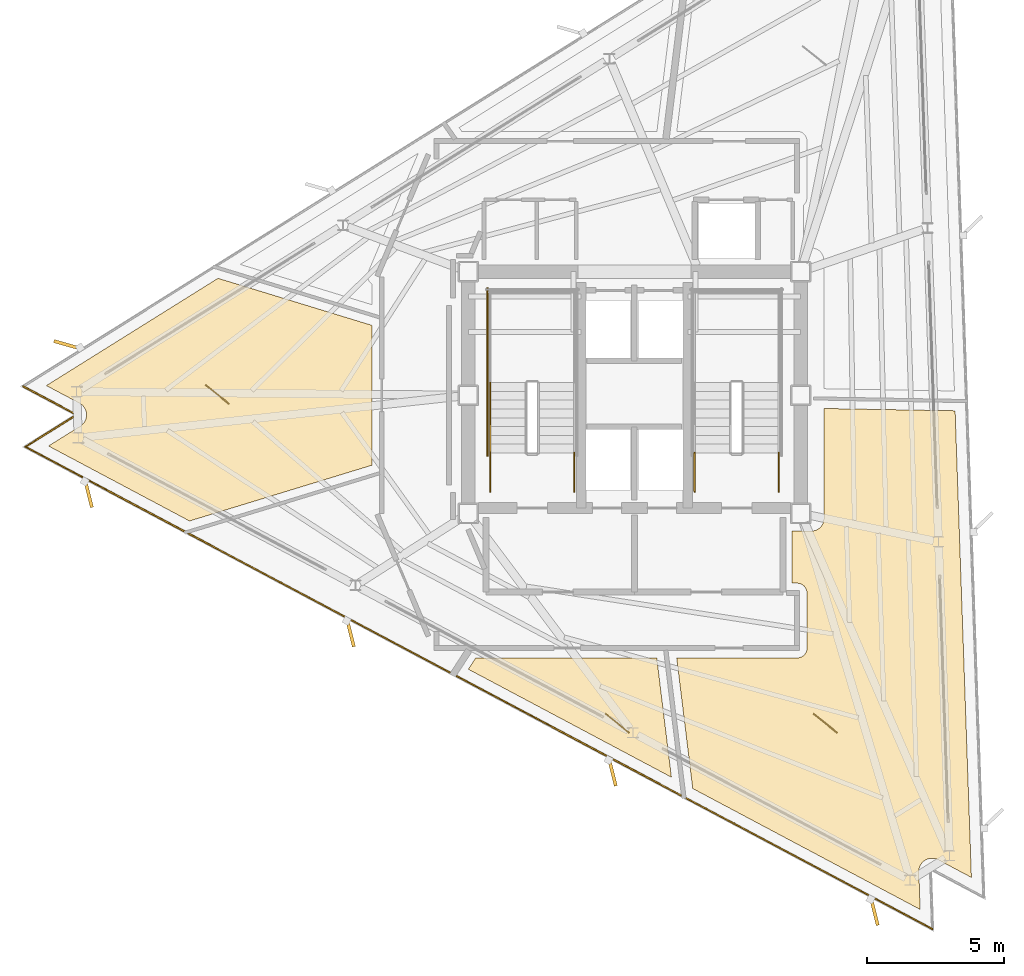
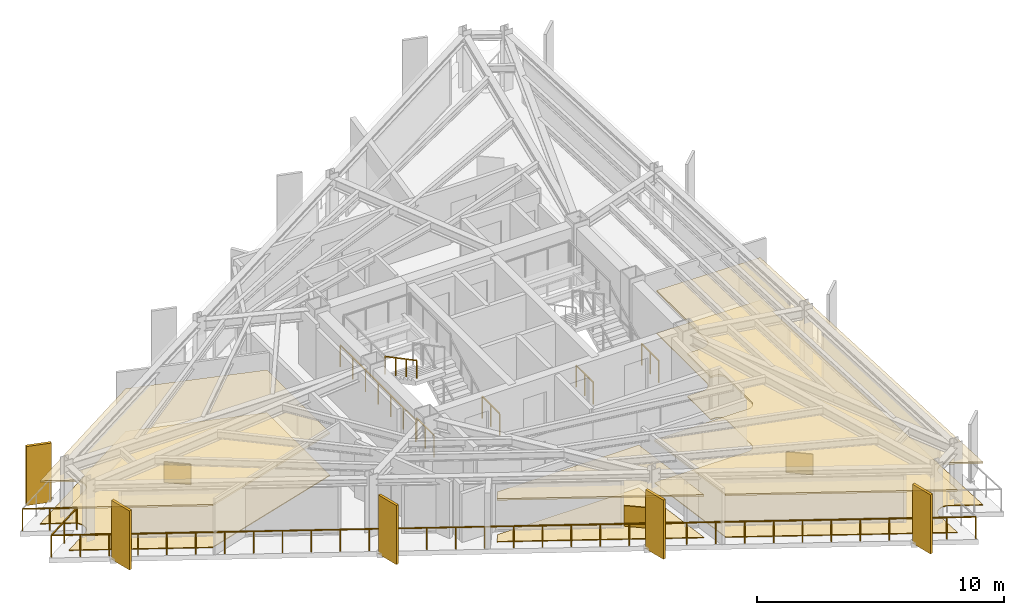
# One storey, part 11 of 13: 9 coverings, 7 railings, 5 shading devices.
"""IFC4 building model written with IfcOpenShell, lengths in metres."""

from ifc_helpers import new_model, si_unit, direction, frame, origin, origin_2d, place, context, subcontext, project, spatial, polyline, rectangle, outline, extrude, material, layer, layer_set, type_object, element, save


model = new_model("IFC4")

# Units and contexts
model_context = context("Model", 3, precision=1e-05, world=origin(), true_north=direction((0.0, 1.0)))
body_context = subcontext(model_context, "Body", "Model", "MODEL_VIEW")
ifc_project = project(units=[si_unit("LENGTHUNIT", "METRE"), si_unit("AREAUNIT", "SQUARE_METRE"), si_unit("VOLUMEUNIT", "CUBIC_METRE"), si_unit("PLANEANGLEUNIT", "RADIAN"), si_unit("MASSUNIT", "GRAM", prefix="KILO")], contexts=[model_context])

# Site, building, storey
site_placement = place(None, origin())
site = spatial("IfcSite", under=ifc_project, at=site_placement, CompositionType="ELEMENT")
building_placement = place(site_placement, origin())
building = spatial("IfcBuilding", under=site, at=building_placement, Name="Rocaltana Carrier Exchange", CompositionType="ELEMENT")
storey_placement = place(building_placement, frame((0.0, 0.0, 208.800048828125)))
storey = spatial("IfcBuildingStorey", under=building, at=storey_placement, Name="L66", CompositionType="ELEMENT", Elevation=208.800048828125)

# Coverings
ifc_material_1 = material(Name="Honed Bogota Sandstone Tile", Category="masonry")
ifc_layer_1 = layer(ifc_material_1, 0.0400390625)
ifc_layer_set_1 = layer_set([ifc_layer_1], Name="Honed Bogota Sandstone Tile")
covering_type_1 = type_object("IfcCoveringType", Name="Honed Stone Lobby Flooring 40", PredefinedType="FLOORING", material=ifc_layer_set_1)
covering_1_placement = place(storey_placement, origin())
element("IfcCovering", 1, at=covering_1_placement, inside=storey, type_object=covering_type_1, Name="L66 Carrier Peering Suite Finish Floor", PredefinedType="FLOORING", context=body_context, shape_type="SweptSolid", body=[
    extrude(outline(polyline([(-20.17138671875, -1.120361328125), (-20.15966796875, -1.11279296875), (-20.143310546875, -1.101318359375), (-20.121337890625, -1.084228515625), (-20.106201171875, -1.0712890625), (-20.085693359375, -1.052001953125), (-20.072021484375, -1.03759765625), (-20.0537109375, -1.0166015625), (-20.04150390625, -1.000732421875), (-20.025390625, -0.97802734375), (-20.014892578125, -0.961181640625), (-20.001220703125, -0.936767578125), (-19.9921875, -0.9189453125), (-19.98095703125, -0.893310546875), (-19.973876953125, -0.874755859375), (-19.965087890625, -0.848388671875), (-19.9599609375, -0.8291015625), (-19.9541015625, -0.8017578125), (-19.95068359375, -0.781982421875), (-19.947509765625, -0.75439453125), (-19.9462890625, -0.734375), (-19.94580078125, -0.70654296875), (-19.946533203125, -0.6865234375), (-19.948974609375, -0.65869140625), (-19.95166015625, -0.638916015625), (-19.956787109375, -0.611572265625), (-19.96142578125, -0.59228515625), (-19.96923828125, -0.5654296875), (-19.9755859375, -0.546630859375), (-19.986083984375, -0.520751953125), (-19.99462890625, -0.502685546875), (-20.007568359375, -0.477783203125), (-20.017578125, -0.460693359375), (-20.033203125, -0.4375), (-20.044921875, -0.42138671875), (-20.0625, -0.399658203125), (-20.07568359375, -0.385009765625), (-20.095458984375, -0.364990234375), (-20.1103515625, -0.351806640625), (-20.1318359375, -0.333984375), (-20.14794921875, -0.322021484375), (-20.171142578125, -0.306640625), (-20.188232421875, -0.29638671875), (-20.2001953125, -0.28955078125), (-21.40869140625, 0.35302734375), (-15.1591796875, 4.25830078125), (-9.56005859375, 2.54638671875), (-9.56005859375, -2.54638671875), (-16.197509765625, -4.57568359375), (-21.33203125, -1.845703125), (-20.17138671875, -1.120361328125)])), origin(), (0.0, 0.0, 1.0), 0.0400390625),
])
covering_2_placement = place(storey_placement, origin())
element("IfcCovering", 2, at=covering_2_placement, inside=storey, type_object=covering_type_1, Name="L66 Cloud Architecture Office Finish Floor", PredefinedType="FLOORING", context=body_context, shape_type="SweptSolid", body=[
    extrude(outline(polyline([(-6.047119140625, -9.97265625), (-5.779052734375, -9.56005859375), (0.81103515625, -9.56005859375), (1.34423828125, -13.90283203125), (-6.047119140625, -9.97265625)])), origin(), (0.0, 0.0, 1.0), 0.0400390625),
])
covering_3_placement = place(storey_placement, origin())
element("IfcCovering", 3, at=covering_3_placement, inside=storey, type_object=covering_type_1, Name="L66 Optical Switching Laboratory Finish Floor", PredefinedType="FLOORING", context=body_context, shape_type="SweptSolid", body=[
    extrude(outline(polyline([(5.739990234375, -6.840087890625), (5.739990234375, -4.93994140625), (6.449951171875, -4.93994140625), (6.463623046875, -4.939697265625), (6.4794921875, -4.93896484375), (6.5068359375, -4.936279296875), (6.522216796875, -4.933837890625), (6.54931640625, -4.928466796875), (6.564453125, -4.9248046875), (6.5908203125, -4.916748046875), (6.605712890625, -4.91162109375), (6.630859375, -4.90087890625), (6.64501953125, -4.894287109375), (6.66943359375, -4.88134765625), (6.682861328125, -4.873291015625), (6.705810546875, -4.85791015625), (6.71826171875, -4.8486328125), (6.739501953125, -4.8310546875), (6.751220703125, -4.820556640625), (6.7705078125, -4.80126953125), (6.781005859375, -4.78955078125), (6.798583984375, -4.768310546875), (6.807861328125, -4.755615234375), (6.8232421875, -4.73291015625), (6.831298828125, -4.719482421875), (6.84423828125, -4.695068359375), (6.850830078125, -4.680908203125), (6.861572265625, -4.655517578125), (6.86669921875, -4.640869140625), (6.874755859375, -4.614501953125), (6.87841796875, -4.59912109375), (6.8837890625, -4.572265625), (6.88623046875, -4.556884765625), (6.888916015625, -4.529296875), (6.8896484375, -4.513671875), (6.889892578125, -4.5), (6.889892578125, -0.480224609375), (11.671142578125, -0.563720703125), (12.264404296875, -17.55126953125), (11.055908203125, -16.90869140625), (11.04345703125, -16.902587890625), (11.025390625, -16.89404296875), (10.99951171875, -16.883544921875), (10.980712890625, -16.876708984375), (10.9541015625, -16.868896484375), (10.9345703125, -16.8642578125), (10.9072265625, -16.85888671875), (10.887451171875, -16.856201171875), (10.859619140625, -16.853515625), (10.83984375, -16.852783203125), (10.81201171875, -16.85302734375), (10.7919921875, -16.854248046875), (10.76416015625, -16.857421875), (10.744384765625, -16.860595703125), (10.71728515625, -16.8662109375), (10.697998046875, -16.871337890625), (10.67138671875, -16.8798828125), (10.652587890625, -16.886962890625), (10.627197265625, -16.89794921875), (10.609130859375, -16.906982421875), (10.584716796875, -16.92041015625), (10.56787109375, -16.930908203125), (10.544921875, -16.947021484375), (10.529296875, -16.959228515625), (10.508056640625, -16.977294921875), (10.49365234375, -16.990966796875), (10.474365234375, -17.01123046875), (10.461181640625, -17.0263671875), (10.444091796875, -17.04833984375), (10.4326171875, -17.064697265625), (10.41748046875, -17.088134765625), (10.407958984375, -17.105712890625), (10.3955078125, -17.130615234375), (10.38720703125, -17.148681640625), (10.37744140625, -17.1748046875), (10.37109375, -17.19384765625), (10.364013671875, -17.220703125), (10.359619140625, -17.240234375), (10.35498046875, -17.267822265625), (10.352783203125, -17.28759765625), (10.35107421875, -17.3154296875), (10.350830078125, -17.33544921875), (10.350830078125, -17.349365234375), (10.398681640625, -18.717041015625), (2.120361328125, -14.3154296875), (1.53662109375, -9.56005859375), (5.919921875, -9.56005859375), (5.93359375, -9.559814453125), (5.941650390625, -9.559326171875), (5.968994140625, -9.556640625), (5.976806640625, -9.555419921875), (6.003662109375, -9.550048828125), (6.01123046875, -9.548095703125), (6.03759765625, -9.540283203125), (6.044921875, -9.53759765625), (6.0703125, -9.527099609375), (6.077392578125, -9.523681640625), (6.101806640625, -9.5107421875), (6.1083984375, -9.506591796875), (6.131103515625, -9.491455078125), (6.137451171875, -9.48681640625), (6.15869140625, -9.46923828125), (6.16455078125, -9.464111328125), (6.18408203125, -9.444580078125), (6.189208984375, -9.438720703125), (6.206787109375, -9.41748046875), (6.21142578125, -9.4111328125), (6.226806640625, -9.388427734375), (6.230712890625, -9.381591796875), (6.24365234375, -9.357421875), (6.2470703125, -9.350341796875), (6.257568359375, -9.324951171875), (6.26025390625, -9.317626953125), (6.268310546875, -9.291259765625), (6.27001953125, -9.28369140625), (6.275390625, -9.256591796875), (6.276611328125, -9.248779296875), (6.279296875, -9.2216796875), (6.27978515625, -9.213623046875), (6.280029296875, -9.199951171875), (6.280029296875, -7.199951171875), (6.27978515625, -7.186279296875), (6.279296875, -7.178466796875), (6.276611328125, -7.151123046875), (6.275390625, -7.143310546875), (6.27001953125, -7.116455078125), (6.268310546875, -7.108642578125), (6.26025390625, -7.08251953125), (6.257568359375, -7.0751953125), (6.2470703125, -7.0498046875), (6.24365234375, -7.04248046875), (6.230712890625, -7.018310546875), (6.226806640625, -7.01171875), (6.21142578125, -6.98876953125), (6.206787109375, -6.982421875), (6.189208984375, -6.961181640625), (6.18408203125, -6.955322265625), (6.16455078125, -6.93603515625), (6.15869140625, -6.9306640625), (6.137451171875, -6.913330078125), (6.131103515625, -6.90869140625), (6.1083984375, -6.893310546875), (6.101806640625, -6.889404296875), (6.077392578125, -6.876220703125), (6.0703125, -6.873046875), (6.044921875, -6.862548828125), (6.03759765625, -6.85986328125), (6.01123046875, -6.851806640625), (6.003662109375, -6.849853515625), (5.976806640625, -6.844482421875), (5.968994140625, -6.843505859375), (5.941650390625, -6.8408203125), (5.93359375, -6.84033203125), (5.919921875, -6.840087890625), (5.739990234375, -6.840087890625)])), origin(), (0.0, 0.0, 1.0), 0.0400390625),
])
ifc_material_2 = material(Name="Anodised Aluminium 6063-T6", Category="aluminium")
ifc_layer_2 = layer(ifc_material_2, 0.0849609375)
ifc_layer_set_2 = layer_set([ifc_layer_2], Name="Anodised Aluminium 6063-T6")
covering_type_2 = type_object("IfcCoveringType", Name="Linear Baffle Acoustic Ceiling 85", PredefinedType="CEILING", material=ifc_layer_set_2)
covering_4_placement = place(storey_placement, frame((0.0, 0.0, 2.06298828125)))
element("IfcCovering", 4, at=covering_4_placement, inside=storey, type_object=covering_type_2, Name="L66 Carrier Peering Suite Acoustic Ceiling", PredefinedType="CEILING", context=body_context, shape_type="SweptSolid", body=[
    extrude(outline(polyline([(-20.17138671875, -1.120361328125), (-20.15966796875, -1.11279296875), (-20.143310546875, -1.101318359375), (-20.121337890625, -1.084228515625), (-20.106201171875, -1.0712890625), (-20.085693359375, -1.052001953125), (-20.072021484375, -1.03759765625), (-20.0537109375, -1.0166015625), (-20.04150390625, -1.000732421875), (-20.025390625, -0.97802734375), (-20.014892578125, -0.961181640625), (-20.001220703125, -0.936767578125), (-19.9921875, -0.9189453125), (-19.98095703125, -0.893310546875), (-19.973876953125, -0.874755859375), (-19.965087890625, -0.848388671875), (-19.9599609375, -0.8291015625), (-19.9541015625, -0.8017578125), (-19.95068359375, -0.781982421875), (-19.947509765625, -0.75439453125), (-19.9462890625, -0.734375), (-19.94580078125, -0.70654296875), (-19.946533203125, -0.6865234375), (-19.948974609375, -0.65869140625), (-19.95166015625, -0.638916015625), (-19.956787109375, -0.611572265625), (-19.96142578125, -0.59228515625), (-19.96923828125, -0.5654296875), (-19.9755859375, -0.546630859375), (-19.986083984375, -0.520751953125), (-19.99462890625, -0.502685546875), (-20.007568359375, -0.477783203125), (-20.017578125, -0.460693359375), (-20.033203125, -0.4375), (-20.044921875, -0.42138671875), (-20.0625, -0.399658203125), (-20.07568359375, -0.385009765625), (-20.095458984375, -0.364990234375), (-20.1103515625, -0.351806640625), (-20.1318359375, -0.333984375), (-20.14794921875, -0.322021484375), (-20.171142578125, -0.306640625), (-20.188232421875, -0.29638671875), (-20.2001953125, -0.28955078125), (-21.40869140625, 0.35302734375), (-15.1591796875, 4.25830078125), (-9.56005859375, 2.54638671875), (-9.56005859375, -2.54638671875), (-16.197509765625, -4.57568359375), (-21.33203125, -1.845703125), (-20.17138671875, -1.120361328125)])), origin(), (0.0, 0.0, 1.0), 0.0849609375),
])
covering_5_placement = place(storey_placement, frame((0.0, 0.0, 2.06298828125)))
element("IfcCovering", 5, at=covering_5_placement, inside=storey, type_object=covering_type_2, Name="L66 Cloud Architecture Office Acoustic Ceiling", PredefinedType="CEILING", context=body_context, shape_type="SweptSolid", body=[
    extrude(outline(polyline([(-6.047119140625, -9.97265625), (-5.779052734375, -9.56005859375), (0.81103515625, -9.56005859375), (1.34423828125, -13.90283203125), (-6.047119140625, -9.97265625)])), origin(), (0.0, 0.0, 1.0), 0.0849609375),
])
covering_6_placement = place(storey_placement, frame((0.0, 0.0, 2.06298828125)))
element("IfcCovering", 6, at=covering_6_placement, inside=storey, type_object=covering_type_2, Name="L66 Optical Switching Laboratory Acoustic Ceiling", PredefinedType="CEILING", context=body_context, shape_type="SweptSolid", body=[
    extrude(outline(polyline([(5.739990234375, -6.840087890625), (5.739990234375, -4.93994140625), (6.449951171875, -4.93994140625), (6.463623046875, -4.939697265625), (6.4794921875, -4.93896484375), (6.5068359375, -4.936279296875), (6.522216796875, -4.933837890625), (6.54931640625, -4.928466796875), (6.564453125, -4.9248046875), (6.5908203125, -4.916748046875), (6.605712890625, -4.91162109375), (6.630859375, -4.90087890625), (6.64501953125, -4.894287109375), (6.66943359375, -4.88134765625), (6.682861328125, -4.873291015625), (6.705810546875, -4.85791015625), (6.71826171875, -4.8486328125), (6.739501953125, -4.8310546875), (6.751220703125, -4.820556640625), (6.7705078125, -4.80126953125), (6.781005859375, -4.78955078125), (6.798583984375, -4.768310546875), (6.807861328125, -4.755615234375), (6.8232421875, -4.73291015625), (6.831298828125, -4.719482421875), (6.84423828125, -4.695068359375), (6.850830078125, -4.680908203125), (6.861572265625, -4.655517578125), (6.86669921875, -4.640869140625), (6.874755859375, -4.614501953125), (6.87841796875, -4.59912109375), (6.8837890625, -4.572265625), (6.88623046875, -4.556884765625), (6.888916015625, -4.529296875), (6.8896484375, -4.513671875), (6.889892578125, -4.5), (6.889892578125, -0.480224609375), (11.671142578125, -0.563720703125), (12.264404296875, -17.55126953125), (11.055908203125, -16.90869140625), (11.04345703125, -16.902587890625), (11.025390625, -16.89404296875), (10.99951171875, -16.883544921875), (10.980712890625, -16.876708984375), (10.9541015625, -16.868896484375), (10.9345703125, -16.8642578125), (10.9072265625, -16.85888671875), (10.887451171875, -16.856201171875), (10.859619140625, -16.853515625), (10.83984375, -16.852783203125), (10.81201171875, -16.85302734375), (10.7919921875, -16.854248046875), (10.76416015625, -16.857421875), (10.744384765625, -16.860595703125), (10.71728515625, -16.8662109375), (10.697998046875, -16.871337890625), (10.67138671875, -16.8798828125), (10.652587890625, -16.886962890625), (10.627197265625, -16.89794921875), (10.609130859375, -16.906982421875), (10.584716796875, -16.92041015625), (10.56787109375, -16.930908203125), (10.544921875, -16.947021484375), (10.529296875, -16.959228515625), (10.508056640625, -16.977294921875), (10.49365234375, -16.990966796875), (10.474365234375, -17.01123046875), (10.461181640625, -17.0263671875), (10.444091796875, -17.04833984375), (10.4326171875, -17.064697265625), (10.41748046875, -17.088134765625), (10.407958984375, -17.105712890625), (10.3955078125, -17.130615234375), (10.38720703125, -17.148681640625), (10.37744140625, -17.1748046875), (10.37109375, -17.19384765625), (10.364013671875, -17.220703125), (10.359619140625, -17.240234375), (10.35498046875, -17.267822265625), (10.352783203125, -17.28759765625), (10.35107421875, -17.3154296875), (10.350830078125, -17.33544921875), (10.350830078125, -17.349365234375), (10.398681640625, -18.717041015625), (2.120361328125, -14.3154296875), (1.53662109375, -9.56005859375), (5.919921875, -9.56005859375), (5.93359375, -9.559814453125), (5.941650390625, -9.559326171875), (5.968994140625, -9.556640625), (5.976806640625, -9.555419921875), (6.003662109375, -9.550048828125), (6.01123046875, -9.548095703125), (6.03759765625, -9.540283203125), (6.044921875, -9.53759765625), (6.0703125, -9.527099609375), (6.077392578125, -9.523681640625), (6.101806640625, -9.5107421875), (6.1083984375, -9.506591796875), (6.131103515625, -9.491455078125), (6.137451171875, -9.48681640625), (6.15869140625, -9.46923828125), (6.16455078125, -9.464111328125), (6.18408203125, -9.444580078125), (6.189208984375, -9.438720703125), (6.206787109375, -9.41748046875), (6.21142578125, -9.4111328125), (6.226806640625, -9.388427734375), (6.230712890625, -9.381591796875), (6.24365234375, -9.357421875), (6.2470703125, -9.350341796875), (6.257568359375, -9.324951171875), (6.26025390625, -9.317626953125), (6.268310546875, -9.291259765625), (6.27001953125, -9.28369140625), (6.275390625, -9.256591796875), (6.276611328125, -9.248779296875), (6.279296875, -9.2216796875), (6.27978515625, -9.213623046875), (6.280029296875, -9.199951171875), (6.280029296875, -7.199951171875), (6.27978515625, -7.186279296875), (6.279296875, -7.178466796875), (6.276611328125, -7.151123046875), (6.275390625, -7.143310546875), (6.27001953125, -7.116455078125), (6.268310546875, -7.108642578125), (6.26025390625, -7.08251953125), (6.257568359375, -7.0751953125), (6.2470703125, -7.0498046875), (6.24365234375, -7.04248046875), (6.230712890625, -7.018310546875), (6.226806640625, -7.01171875), (6.21142578125, -6.98876953125), (6.206787109375, -6.982421875), (6.189208984375, -6.961181640625), (6.18408203125, -6.955322265625), (6.16455078125, -6.93603515625), (6.15869140625, -6.9306640625), (6.137451171875, -6.913330078125), (6.131103515625, -6.90869140625), (6.1083984375, -6.893310546875), (6.101806640625, -6.889404296875), (6.077392578125, -6.876220703125), (6.0703125, -6.873046875), (6.044921875, -6.862548828125), (6.03759765625, -6.85986328125), (6.01123046875, -6.851806640625), (6.003662109375, -6.849853515625), (5.976806640625, -6.844482421875), (5.968994140625, -6.843505859375), (5.941650390625, -6.8408203125), (5.93359375, -6.84033203125), (5.919921875, -6.840087890625), (5.739990234375, -6.840087890625)])), origin(), (0.0, 0.0, 1.0), 0.0849609375),
])

# Railings
ifc_material_3 = material(Name="Brushed Architectural Stainless Tube", Category="steel")
ifc_layer_3 = layer(ifc_material_3, 0.048095703125)
ifc_layer_set_3 = layer_set([ifc_layer_3], Name="Brushed Architectural Stainless Tube")
railing_type_1 = type_object("IfcRailingType", Name="Stair Wall Handrail 920", PredefinedType="HANDRAIL", material=ifc_layer_set_3)
railing_1_placement = place(storey_placement, frame((-5.25, 0.4599609375, 1.688720703125)))
element("IfcRailing", 7, at=railing_1_placement, inside=storey, type_object=railing_type_1, Name="L66 ST-1 stair handrail 2", PredefinedType="HANDRAIL", context=body_context, shape_type="SweptSolid", body=[
    extrude(rectangle(XDim=0.048095703125, YDim=0.048095703125, at=origin_2d()), frame((0.0, 0.0, 0.8759765625), z_axis=(0.0, -0.884359608194, 0.46680625895), x_axis=(1.0, 0.0, 0.0)), (0.0, 0.0, 1.0), 2.894775390625),
    extrude(rectangle(XDim=0.0419921875, YDim=0.0419921875, at=origin_2d()), origin(), (0.0, 0.0, 1.0), 0.851806640625),
    extrude(rectangle(XDim=0.0419921875, YDim=0.0419921875, at=origin_2d()), frame((0.0, -0.853271484375, 0.450439453125)), (0.0, 0.0, 1.0), 0.851806640625),
    extrude(rectangle(XDim=0.0419921875, YDim=0.0419921875, at=origin_2d()), frame((0.0, -1.706787109375, 0.90087890625)), (0.0, 0.0, 1.0), 0.851806640625),
    extrude(rectangle(XDim=0.0419921875, YDim=0.0419921875, at=origin_2d()), frame((0.0, -2.56005859375, 1.351318359375)), (0.0, 0.0, 1.0), 0.851806640625),
])
ifc_material_4 = material(Name="Powder-Coated Aluminium 6063-T6", Category="aluminium")
ifc_layer_4 = layer(ifc_material_4, 0.048095703125)
ifc_layer_set_4 = layer_set([ifc_layer_4], Name="Powder-Coated Aluminium 6063-T6")
railing_type_2 = type_object("IfcRailingType", Name="Stair Well Guardrail 1100", PredefinedType="GUARDRAIL", material=ifc_layer_set_4)
for number, where, name in (
    (8, (-2.18994140625, -3.5, 0.0), "L66 ST-1 stair guard 8"),
    (9, (-5.25, -3.5, 0.0), "L66 ST-1 stair guard 9"),
):
    element("IfcRailing", number, at=place(storey_placement, frame(where)), inside=storey, type_object=railing_type_2, Name=name, PredefinedType="GUARDRAIL", context=body_context, shape_type="SweptSolid", body=[
        extrude(rectangle(XDim=0.048095703125, YDim=0.048095703125, at=origin_2d()), frame((0.0, 0.0, 1.076171875), z_axis=(0.0, 1.0, 0.0), x_axis=(-1.0, 0.0, 0.0)), (0.0, 0.0, 1.0), 1.39990234375),
        extrude(rectangle(XDim=0.0419921875, YDim=0.0419921875, at=origin_2d()), origin(), (0.0, 0.0, 1.0), 1.052001953125),
        extrude(rectangle(XDim=0.0419921875, YDim=0.0419921875, at=origin_2d()), frame((0.0, 0.699951171875, 0.0)), (0.0, 0.0, 1.0), 1.052001953125),
        extrude(rectangle(XDim=0.0419921875, YDim=0.0419921875, at=origin_2d()), frame((0.0, 1.39990234375, 0.0)), (0.0, 0.0, 1.0), 1.052001953125),
    ])
railing_2_placement = place(storey_placement, frame((-5.35009765625, -2.199951171875, 0.0)))
element("IfcRailing", 10, at=railing_2_placement, inside=storey, type_object=railing_type_2, Name="L66 ST-1 stair guard 11", PredefinedType="GUARDRAIL", context=body_context, shape_type="SweptSolid", body=[
    extrude(rectangle(XDim=0.048095703125, YDim=0.048095703125, at=origin_2d()), frame((0.0, 0.0, 1.076171875), z_axis=(0.0, 1.0, 0.0), x_axis=(-1.0, 0.0, 0.0)), (0.0, 0.0, 1.0), 6.099853515625),
    extrude(rectangle(XDim=0.0419921875, YDim=0.0419921875, at=origin_2d()), origin(), (0.0, 0.0, 1.0), 1.052001953125),
    extrude(rectangle(XDim=0.0419921875, YDim=0.0419921875, at=origin_2d()), frame((0.0, 1.0166015625, 0.0)), (0.0, 0.0, 1.0), 1.052001953125),
    extrude(rectangle(XDim=0.0419921875, YDim=0.0419921875, at=origin_2d()), frame((0.0, 2.033203125, 0.0)), (0.0, 0.0, 1.0), 1.052001953125),
    extrude(rectangle(XDim=0.0419921875, YDim=0.0419921875, at=origin_2d()), frame((0.0, 3.0498046875, 0.0)), (0.0, 0.0, 1.0), 1.052001953125),
    extrude(rectangle(XDim=0.0419921875, YDim=0.0419921875, at=origin_2d()), frame((0.0, 4.066650390625, 0.0)), (0.0, 0.0, 1.0), 1.052001953125),
    extrude(rectangle(XDim=0.0419921875, YDim=0.0419921875, at=origin_2d()), frame((0.0, 5.083251953125, 0.0)), (0.0, 0.0, 1.0), 1.052001953125),
    extrude(rectangle(XDim=0.0419921875, YDim=0.0419921875, at=origin_2d()), frame((0.0, 6.099853515625, 0.0)), (0.0, 0.0, 1.0), 1.052001953125),
])
for number, where, name in (
    (11, (5.25, -3.5, 0.0), "L66 ST-2 stair guard 8"),
    (12, (2.18994140625, -3.5, 0.0), "L66 ST-2 stair guard 9"),
):
    element("IfcRailing", number, at=place(storey_placement, frame(where)), inside=storey, type_object=railing_type_2, Name=name, PredefinedType="GUARDRAIL", context=body_context, shape_type="SweptSolid", body=[
        extrude(rectangle(XDim=0.048095703125, YDim=0.048095703125, at=origin_2d()), frame((0.0, 0.0, 1.076171875), z_axis=(0.0, 1.0, 0.0), x_axis=(-1.0, 0.0, 0.0)), (0.0, 0.0, 1.0), 1.39990234375),
        extrude(rectangle(XDim=0.0419921875, YDim=0.0419921875, at=origin_2d()), origin(), (0.0, 0.0, 1.0), 1.052001953125),
        extrude(rectangle(XDim=0.0419921875, YDim=0.0419921875, at=origin_2d()), frame((0.0, 0.699951171875, 0.0)), (0.0, 0.0, 1.0), 1.052001953125),
        extrude(rectangle(XDim=0.0419921875, YDim=0.0419921875, at=origin_2d()), frame((0.0, 1.39990234375, 0.0)), (0.0, 0.0, 1.0), 1.052001953125),
    ])

# Coverings
ifc_material_5 = material(Name="Honed Piedra Muneca Sandstone", Category="masonry")
ifc_layer_5 = layer(ifc_material_5, 0.034912109375)
ifc_layer_set_5 = layer_set([ifc_layer_5], Name="Honed Piedra Muneca Sandstone")
covering_type_3 = type_object("IfcCoveringType", Name="Stone Facade Cladding 35", PredefinedType="CLADDING", material=ifc_layer_set_5)
for number, where, z_axis, x_axis, name in (
    (13, (-15.182373046875, 0.03173828125, 0.0), (0.0, 0.0, 1.0), (-0.777145961457, 0.62932039105, 0.0), "L66 Stone Facade Cladding Panel 1"),
    (14, (-0.624267578125, -11.937744140625, 0.0), (0.0, 0.0, 1.0), (-0.777145961457, 0.62932039105, 0.0), "L66 Stone Facade Cladding Panel 3"),
    (15, (6.948486328125, -11.937744140625, 0.0), (0.0, 0.0, 1.0), (-0.777145961457, 0.62932039105, 0.0), "L66 Stone Facade Cladding Panel 4"),
):
    element("IfcCovering", number, at=place(storey_placement, frame(where, z_axis=z_axis, x_axis=x_axis)), inside=storey, type_object=covering_type_3, Name=name, PredefinedType="CLADDING", context=body_context, shape_type="SweptSolid", body=[
        extrude(rectangle(XDim=1.10009765625, YDim=0.034912109375, at=origin_2d()), origin(), (0.0, 0.0, 1.0), 1.050048828125),
    ])

# Shading devices
ifc_material_6 = material(Name="Honed Bogota Sandstone & Concrete C45/55", Category="masonry")
ifc_layer_6 = layer(ifc_material_6, 0.1201171875)
ifc_layer_set_6 = layer_set([ifc_layer_6], Name="Honed Bogota Sandstone & Concrete C45/55")
shading_device_type = type_object("IfcShadingDeviceType", Name="Upper Sandstone Shading Fin 1050x120", PredefinedType="USERDEFINED", material=ifc_layer_set_6)
for number, where, z_axis, x_axis, name in (
    (16, (-20.62939453125, 1.8310546875, -0.1201171875), (0.0, 0.0, 1.0), (-0.961261695938, 0.275637355817, 0.0), "L66 Sandstone Vertical Fin F2-04"),
    (17, (-19.87841796875, -3.5703125, -0.1201171875), (0.0, 0.0, 1.0), (0.2419218956, -0.970295726276, 0.0), "L66 Sandstone Vertical Fin F3-01"),
    (18, (-10.342529296875, -8.640625, -0.1201171875), (0.0, 0.0, 1.0), (0.2419218956, -0.970295726276, 0.0), "L66 Sandstone Vertical Fin F3-02"),
    (19, (-0.806884765625, -13.7109375, -0.1201171875), (0.0, 0.0, 1.0), (0.2419218956, -0.970295726276, 0.0), "L66 Sandstone Vertical Fin F3-03"),
    (20, (8.72900390625, -18.78125, -0.1201171875), (0.0, 0.0, 1.0), (0.2419218956, -0.970295726276, 0.0), "L66 Sandstone Vertical Fin F3-04"),
):
    element("IfcShadingDevice", number, at=place(storey_placement, frame(where, z_axis=z_axis, x_axis=x_axis)), inside=storey, type_object=shading_device_type, Name=name, ObjectType="FIN", PredefinedType="USERDEFINED", context=body_context, shape_type="SweptSolid", body=[
        extrude(rectangle(XDim=1.050048828125, YDim=0.1201171875, at=origin_2d()), origin(), (0.0, 0.0, 1.0), 2.91796875),
    ])

# Railing
ifc_material_7 = material(Name="Powder-Coated Aluminium 6063-T6", Category="aluminium")
ifc_layer_7 = layer(ifc_material_7, 0.06005859375)
ifc_layer_set_7 = layer_set([ifc_layer_7], Name="Powder-Coated Aluminium 6063-T6")
railing_type_3 = type_object("IfcRailingType", Name="Wind-Floor & Terrace Perimeter Guardrail 1100", PredefinedType="GUARDRAIL", material=ifc_layer_set_7)
railing_3_placement = place(storey_placement, frame((10.84375, -19.429443359375, 0.0)))
element("IfcRailing", 21, at=railing_3_placement, inside=storey, type_object=railing_type_3, Name="L66 Perimeter Balcony Guardrail 1", PredefinedType="GUARDRAIL", context=body_context, shape_type="SweptSolid", body=[
    extrude(rectangle(XDim=0.048095703125, YDim=0.048095703125, at=origin_2d()), frame((0.0, 0.0, 1.076171875), z_axis=(-0.882949211739, 0.469468518103, 0.0), x_axis=(-0.469468518103, -0.882949211739, 0.0)), (0.0, 0.0, 1.0), 37.39208984375),
    extrude(rectangle(XDim=0.048095703125, YDim=0.048095703125, at=origin_2d()), frame((-33.015380859375, 17.554443359375, 1.076171875), z_axis=(0.848010771987, 0.52997899071, 0.0), x_axis=(-0.52997899071, 0.848010771987, 0.0)), (0.0, 0.0, 1.0), 2.2001953125),
    extrude(rectangle(XDim=0.048095703125, YDim=0.048095703125, at=origin_2d()), frame((-31.149658203125, 18.720458984375, 1.076171875), z_axis=(-0.882960484464, 0.4694473164, 0.0), x_axis=(-0.4694473164, -0.882960484464, 0.0)), (0.0, 0.0, 1.0), 2.199951171875),
    extrude(rectangle(XDim=0.0419921875, YDim=0.0419921875, at=origin_2d()), origin(), (0.0, 0.0, 1.0), 1.052001953125),
    extrude(rectangle(XDim=0.0419921875, YDim=0.0419921875, at=origin_2d()), frame((-1.03173828125, 0.548583984375, 0.0)), (0.0, 0.0, 1.0), 1.052001953125),
    extrude(rectangle(XDim=0.0419921875, YDim=0.0419921875, at=origin_2d()), frame((-2.0634765625, 1.09716796875, 0.0)), (0.0, 0.0, 1.0), 1.052001953125),
    extrude(rectangle(XDim=0.0419921875, YDim=0.0419921875, at=origin_2d()), frame((-3.09521484375, 1.645751953125, 0.0)), (0.0, 0.0, 1.0), 1.052001953125),
    extrude(rectangle(XDim=0.0419921875, YDim=0.0419921875, at=origin_2d()), frame((-4.126953125, 2.1943359375, 0.0)), (0.0, 0.0, 1.0), 1.052001953125),
    extrude(rectangle(XDim=0.0419921875, YDim=0.0419921875, at=origin_2d()), frame((-5.15869140625, 2.742919921875, 0.0)), (0.0, 0.0, 1.0), 1.052001953125),
    extrude(rectangle(XDim=0.0419921875, YDim=0.0419921875, at=origin_2d()), frame((-6.1904296875, 3.29150390625, 0.0)), (0.0, 0.0, 1.0), 1.052001953125),
    extrude(rectangle(XDim=0.0419921875, YDim=0.0419921875, at=origin_2d()), frame((-7.22216796875, 3.840087890625, 0.0)), (0.0, 0.0, 1.0), 1.052001953125),
    extrude(rectangle(XDim=0.0419921875, YDim=0.0419921875, at=origin_2d()), frame((-8.25390625, 4.388671875, 0.0)), (0.0, 0.0, 1.0), 1.052001953125),
    extrude(rectangle(XDim=0.0419921875, YDim=0.0419921875, at=origin_2d()), frame((-9.28564453125, 4.937255859375, 0.0)), (0.0, 0.0, 1.0), 1.052001953125),
    extrude(rectangle(XDim=0.0419921875, YDim=0.0419921875, at=origin_2d()), frame((-10.3173828125, 5.48583984375, 0.0)), (0.0, 0.0, 1.0), 1.052001953125),
    extrude(rectangle(XDim=0.0419921875, YDim=0.0419921875, at=origin_2d()), frame((-11.34912109375, 6.034423828125, 0.0)), (0.0, 0.0, 1.0), 1.052001953125),
    extrude(rectangle(XDim=0.0419921875, YDim=0.0419921875, at=origin_2d()), frame((-12.380859375, 6.5830078125, 0.0)), (0.0, 0.0, 1.0), 1.052001953125),
    extrude(rectangle(XDim=0.0419921875, YDim=0.0419921875, at=origin_2d()), frame((-13.41259765625, 7.131591796875, 0.0)), (0.0, 0.0, 1.0), 1.052001953125),
    extrude(rectangle(XDim=0.0419921875, YDim=0.0419921875, at=origin_2d()), frame((-14.4443359375, 7.68017578125, 0.0)), (0.0, 0.0, 1.0), 1.052001953125),
    extrude(rectangle(XDim=0.0419921875, YDim=0.0419921875, at=origin_2d()), frame((-15.47607421875, 8.228759765625, 0.0)), (0.0, 0.0, 1.0), 1.052001953125),
    extrude(rectangle(XDim=0.0419921875, YDim=0.0419921875, at=origin_2d()), frame((-16.5078125, 8.77734375, 0.0)), (0.0, 0.0, 1.0), 1.052001953125),
    extrude(rectangle(XDim=0.0419921875, YDim=0.0419921875, at=origin_2d()), frame((-17.539306640625, 9.32568359375, 0.0)), (0.0, 0.0, 1.0), 1.052001953125),
    extrude(rectangle(XDim=0.0419921875, YDim=0.0419921875, at=origin_2d()), frame((-18.571044921875, 9.874267578125, 0.0)), (0.0, 0.0, 1.0), 1.052001953125),
    extrude(rectangle(XDim=0.0419921875, YDim=0.0419921875, at=origin_2d()), frame((-19.602783203125, 10.4228515625, 0.0)), (0.0, 0.0, 1.0), 1.052001953125),
    extrude(rectangle(XDim=0.0419921875, YDim=0.0419921875, at=origin_2d()), frame((-20.634521484375, 10.971435546875, 0.0)), (0.0, 0.0, 1.0), 1.052001953125),
    extrude(rectangle(XDim=0.0419921875, YDim=0.0419921875, at=origin_2d()), frame((-21.666259765625, 11.52001953125, 0.0)), (0.0, 0.0, 1.0), 1.052001953125),
    extrude(rectangle(XDim=0.0419921875, YDim=0.0419921875, at=origin_2d()), frame((-22.697998046875, 12.068603515625, 0.0)), (0.0, 0.0, 1.0), 1.052001953125),
    extrude(rectangle(XDim=0.0419921875, YDim=0.0419921875, at=origin_2d()), frame((-23.729736328125, 12.6171875, 0.0)), (0.0, 0.0, 1.0), 1.052001953125),
    extrude(rectangle(XDim=0.0419921875, YDim=0.0419921875, at=origin_2d()), frame((-24.761474609375, 13.165771484375, 0.0)), (0.0, 0.0, 1.0), 1.052001953125),
    extrude(rectangle(XDim=0.0419921875, YDim=0.0419921875, at=origin_2d()), frame((-25.793212890625, 13.71435546875, 0.0)), (0.0, 0.0, 1.0), 1.052001953125),
    extrude(rectangle(XDim=0.0419921875, YDim=0.0419921875, at=origin_2d()), frame((-26.824951171875, 14.262939453125, 0.0)), (0.0, 0.0, 1.0), 1.052001953125),
    extrude(rectangle(XDim=0.0419921875, YDim=0.0419921875, at=origin_2d()), frame((-27.856689453125, 14.8115234375, 0.0)), (0.0, 0.0, 1.0), 1.052001953125),
    extrude(rectangle(XDim=0.0419921875, YDim=0.0419921875, at=origin_2d()), frame((-28.888427734375, 15.360107421875, 0.0)), (0.0, 0.0, 1.0), 1.052001953125),
    extrude(rectangle(XDim=0.0419921875, YDim=0.0419921875, at=origin_2d()), frame((-29.920166015625, 15.90869140625, 0.0)), (0.0, 0.0, 1.0), 1.052001953125),
    extrude(rectangle(XDim=0.0419921875, YDim=0.0419921875, at=origin_2d()), frame((-30.951904296875, 16.457275390625, 0.0)), (0.0, 0.0, 1.0), 1.052001953125),
    extrude(rectangle(XDim=0.0419921875, YDim=0.0419921875, at=origin_2d()), frame((-31.983642578125, 17.005859375, 0.0)), (0.0, 0.0, 1.0), 1.052001953125),
    extrude(rectangle(XDim=0.0419921875, YDim=0.0419921875, at=origin_2d()), frame((-33.015380859375, 17.554443359375, 0.0)), (0.0, 0.0, 1.0), 1.052001953125),
    extrude(rectangle(XDim=0.0419921875, YDim=0.0419921875, at=origin_2d()), frame((-32.08251953125, 18.137451171875, 0.0)), (0.0, 0.0, 1.0), 1.052001953125),
    extrude(rectangle(XDim=0.0419921875, YDim=0.0419921875, at=origin_2d()), frame((-31.149658203125, 18.720458984375, 0.0)), (0.0, 0.0, 1.0), 1.052001953125),
    extrude(rectangle(XDim=0.0419921875, YDim=0.0419921875, at=origin_2d()), frame((-32.120849609375, 19.23681640625, 0.0)), (0.0, 0.0, 1.0), 1.052001953125),
    extrude(rectangle(XDim=0.0419921875, YDim=0.0419921875, at=origin_2d()), frame((-33.092041015625, 19.753173828125, 0.0)), (0.0, 0.0, 1.0), 1.052001953125),
])

save(model, "model.ifc")
